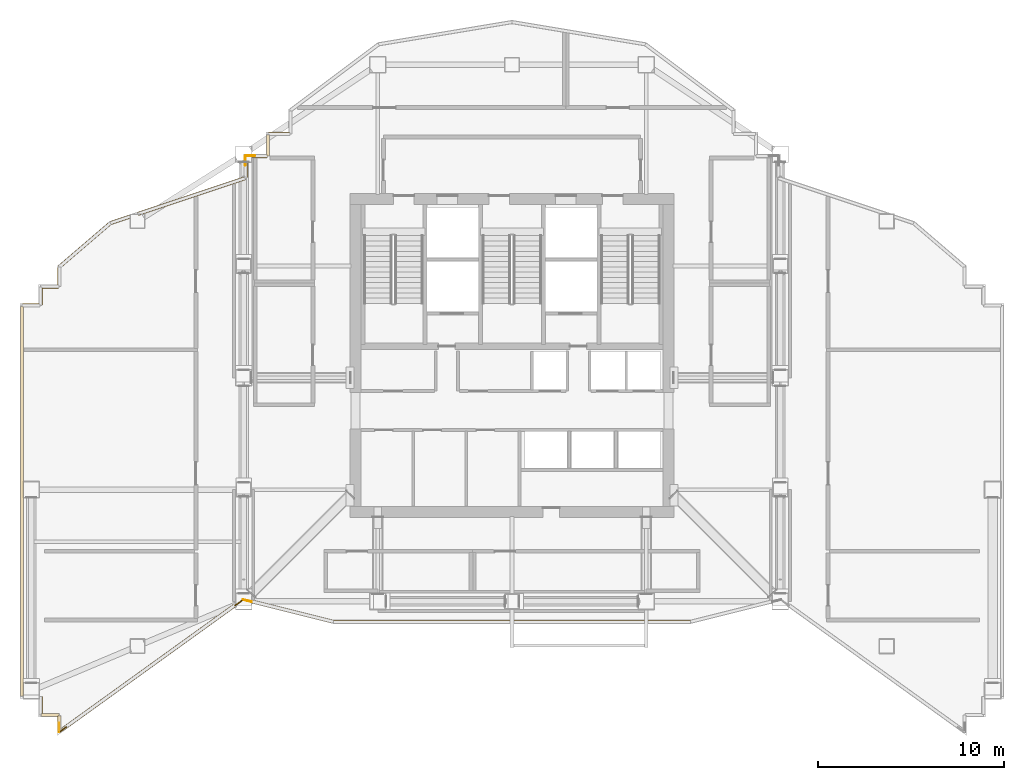
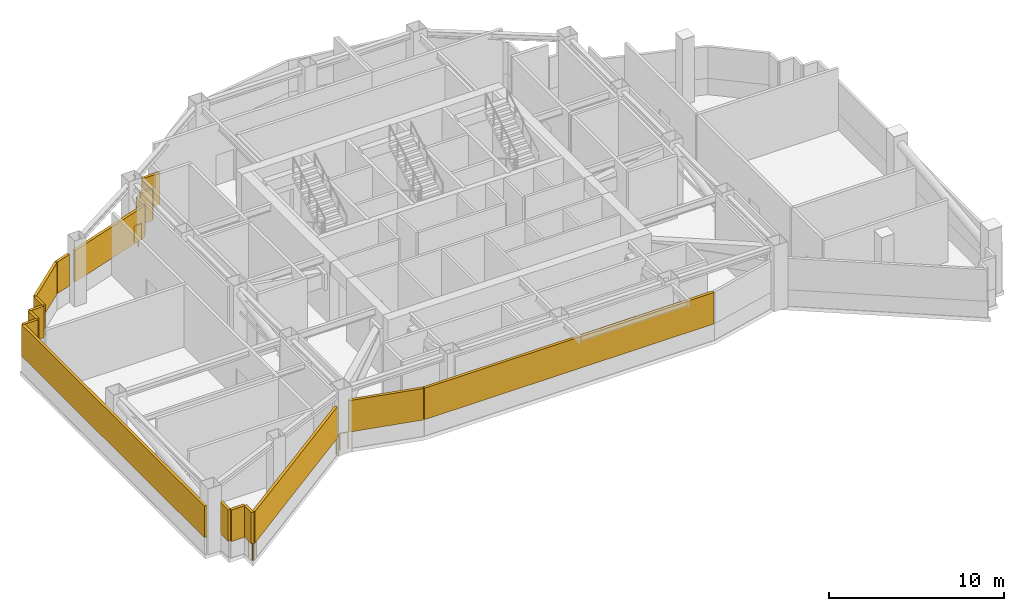
# One storey, part 16 of 19: 18 shading devices, 6 railings.
"""IFC4 building model written with IfcOpenShell, lengths in metres."""

from ifc_helpers import new_model, si_unit, direction, frame, origin, origin_2d, place, context, subcontext, project, spatial, rectangle, circle, extrude, material, type_object, element, save


model = new_model("IFC4")

# Units and contexts
model_context = context("Model", 3, precision=1e-05, world=origin(), true_north=direction((0.0, 1.0)))
body_context = subcontext(model_context, "Body", "Model", "MODEL_VIEW")
ifc_project = project(units=[si_unit("LENGTHUNIT", "METRE"), si_unit("AREAUNIT", "SQUARE_METRE"), si_unit("VOLUMEUNIT", "CUBIC_METRE"), si_unit("PLANEANGLEUNIT", "RADIAN"), si_unit("MASSUNIT", "GRAM", prefix="KILO")], contexts=[model_context])

# Site, building, storey
site_placement = place(None, origin())
site = spatial("IfcSite", under=ifc_project, at=site_placement, CompositionType="ELEMENT")
building_placement = place(site_placement, origin())
building = spatial("IfcBuilding", under=site, at=building_placement, Name="Haolan Belvedere Tower", CompositionType="ELEMENT")
storey_placement = place(building_placement, frame((0.0, 0.0, 230.60009765625)))
storey = spatial("IfcBuildingStorey", under=building, at=storey_placement, Name="L58", CompositionType="ELEMENT", Elevation=230.60009765625)

# Railings
ifc_material_1 = material(Name="Galvanised powder-coated steel guardrail", Category="steel")
railing_type = type_object("IfcRailingType", Name="RL-REF-GRD-1150", PredefinedType="GUARDRAIL", material=ifc_material_1)
railing_1_placement = place(storey_placement, frame((24.42578125, 21.586181640625, 0.0)))
element("IfcRailing", 1, at=railing_1_placement, inside=storey, type_object=railing_type, Name="L58 refuge corner safety guardrail 1A", PredefinedType="GUARDRAIL", context=body_context, shape_type="SweptSolid", body=[
    extrude(circle(Radius=0.02392578125, at=origin_2d()), frame((0.0, 0.0, 1.1259765625), z_axis=(-0.974532291101, 0.224247215372, 0.0), x_axis=(-0.224247215372, -0.974532291101, 0.0)), (0.0, 0.0, 1.0), 0.466064453125),
    extrude(circle(Radius=0.02099609375, at=origin_2d()), origin(), (0.0, 0.0, 1.0), 1.101806640625),
    extrude(circle(Radius=0.02099609375, at=origin_2d()), frame((-0.4541015625, 0.1044921875, 0.0)), (0.0, 0.0, 1.0), 1.101806640625),
])
railing_2_placement = place(storey_placement, frame((23.923095703125, 21.655517578125, 0.0)))
element("IfcRailing", 2, at=railing_2_placement, inside=storey, type_object=railing_type, Name="L58 refuge corner safety guardrail 1B", PredefinedType="GUARDRAIL", context=body_context, shape_type="SweptSolid", body=[
    extrude(circle(Radius=0.02392578125, at=origin_2d()), frame((0.0, 0.0, 1.1259765625), z_axis=(-0.811622975054, -0.584181603925, 0.0), x_axis=(0.584181603925, -0.811622975054, 0.0)), (0.0, 0.0, 1.0), 0.47021484375),
    extrude(circle(Radius=0.02099609375, at=origin_2d()), origin(), (0.0, 0.0, 1.0), 1.101806640625),
    extrude(circle(Radius=0.02099609375, at=origin_2d()), frame((-0.381591796875, -0.274658203125, 0.0)), (0.0, 0.0, 1.0), 1.101806640625),
])
railing_3_placement = place(storey_placement, frame((24.090087890625, 45.010009765625, 0.0)))
element("IfcRailing", 3, at=railing_3_placement, inside=storey, type_object=railing_type, Name="L58 refuge corner safety guardrail 5A", PredefinedType="GUARDRAIL", context=body_context, shape_type="SweptSolid", body=[
    extrude(circle(Radius=0.02392578125, at=origin_2d()), frame((0.0, 0.0, 1.1259765625), z_axis=(0.0, 1.0, 0.0), x_axis=(-1.0, 0.0, 0.0)), (0.0, 0.0, 1.0), 0.469970703125),
    extrude(circle(Radius=0.02099609375, at=origin_2d()), origin(), (0.0, 0.0, 1.0), 1.101806640625),
    extrude(circle(Radius=0.02099609375, at=origin_2d()), frame((0.0, 0.469970703125, 0.0)), (0.0, 0.0, 1.0), 1.101806640625),
])
railing_4_placement = place(storey_placement, frame((24.1201171875, 45.510009765625, 0.0)))
element("IfcRailing", 4, at=railing_4_placement, inside=storey, type_object=railing_type, Name="L58 refuge corner safety guardrail 5B", PredefinedType="GUARDRAIL", context=body_context, shape_type="SweptSolid", body=[
    extrude(circle(Radius=0.02392578125, at=origin_2d()), frame((0.0, 0.0, 1.1259765625), z_axis=(1.0, 0.0, 0.0), x_axis=(0.0, 1.0, 0.0)), (0.0, 0.0, 1.0), 0.469970703125),
    extrude(circle(Radius=0.02099609375, at=origin_2d()), origin(), (0.0, 0.0, 1.0), 1.101806640625),
    extrude(circle(Radius=0.02099609375, at=origin_2d()), frame((0.469970703125, 0.0, 0.0)), (0.0, 0.0, 1.0), 1.101806640625),
])
railing_5_placement = place(storey_placement, frame((14.495849609375, 14.867919921875, 0.0)))
element("IfcRailing", 5, at=railing_5_placement, inside=storey, type_object=railing_type, Name="L58 refuge corner safety guardrail 6A", PredefinedType="GUARDRAIL", context=body_context, shape_type="SweptSolid", body=[
    extrude(circle(Radius=0.02392578125, at=origin_2d()), frame((0.0, 0.0, 1.1259765625), z_axis=(-0.811622975054, -0.584181603925, 0.0), x_axis=(0.584181603925, -0.811622975054, 0.0)), (0.0, 0.0, 1.0), 0.47021484375),
    extrude(circle(Radius=0.02099609375, at=origin_2d()), origin(), (0.0, 0.0, 1.0), 1.101806640625),
    extrude(circle(Radius=0.02099609375, at=origin_2d()), frame((-0.381591796875, -0.274658203125, 0.0)), (0.0, 0.0, 1.0), 1.101806640625),
])
railing_6_placement = place(storey_placement, frame((14.090087890625, 14.605712890625, 0.0)))
element("IfcRailing", 6, at=railing_6_placement, inside=storey, type_object=railing_type, Name="L58 refuge corner safety guardrail 6B", PredefinedType="GUARDRAIL", context=body_context, shape_type="SweptSolid", body=[
    extrude(circle(Radius=0.02392578125, at=origin_2d()), frame((0.0, 0.0, 1.1259765625), z_axis=(0.0, 1.0, 0.0), x_axis=(-1.0, 0.0, 0.0)), (0.0, 0.0, 1.0), 0.469970703125),
    extrude(circle(Radius=0.02099609375, at=origin_2d()), origin(), (0.0, 0.0, 1.0), 1.101806640625),
    extrude(circle(Radius=0.02099609375, at=origin_2d()), frame((0.0, 0.469970703125, 0.0)), (0.0, 0.0, 1.0), 1.101806640625),
])

# Shading devices
ifc_material_2 = material(Name="Anodised champagne-silver aluminium 6063-T6", Category="aluminium")
shading_device_type = type_object("IfcShadingDeviceType", Name="SHD-LOUV-180", PredefinedType="JALOUSIE", material=ifc_material_2)
shading_device_1_placement = place(storey_placement, frame((38.39990234375, 20.510009765625, 1.14990234375), z_axis=(0.0, 0.0, 1.0), x_axis=(1.0, 0.0, 0.0)))
element("IfcShadingDevice", 7, at=shading_device_1_placement, inside=storey, type_object=shading_device_type, Name="L58 refuge storm-proof louvre bank 1.1", PredefinedType="JALOUSIE", context=body_context, shape_type="SweptSolid", body=[
    extrude(rectangle(XDim=19.133056640625, YDim=0.179931640625, at=origin_2d()), origin(), (0.0, 0.0, 1.0), 2.199951171875),
])
for number, where, z_axis, x_axis, name in (
    (8, (25.89501953125, 46.68994140625, 1.14990234375), (0.0, 0.0, 1.0), (-1.0, 0.0, 0.0), "L58 refuge storm-proof louvre bank 25.1"),
    (9, (25.31005859375, 46.074951171875, 1.14990234375), (0.0, 0.0, 1.0), (0.0, -1.0, 0.0), "L58 refuge storm-proof louvre bank 26.1"),
):
    element("IfcShadingDevice", number, at=place(storey_placement, frame(where, z_axis=z_axis, x_axis=x_axis)), inside=storey, type_object=shading_device_type, Name=name, PredefinedType="JALOUSIE", context=body_context, shape_type="SweptSolid", body=[
        extrude(rectangle(XDim=1.1298828125, YDim=0.179931640625, at=origin_2d()), origin(), (0.0, 0.0, 1.0), 2.199951171875),
    ])
shading_device_2_placement = place(storey_placement, frame((24.861083984375, 45.489990234375, 1.14990234375), z_axis=(0.0, 0.0, 1.0), x_axis=(-1.0, 0.0, 0.0)))
element("IfcShadingDevice", 10, at=shading_device_2_placement, inside=storey, type_object=shading_device_type, Name="L58 refuge storm-proof louvre bank 27.1", PredefinedType="JALOUSIE", context=body_context, shape_type="SweptSolid", body=[
    extrude(rectangle(XDim=0.798095703125, YDim=0.179931640625, at=origin_2d()), origin(), (0.0, 0.0, 1.0), 2.199951171875),
])
shading_device_3_placement = place(storey_placement, frame((24.110107421875, 44.739501953125, 1.14990234375), z_axis=(0.0, 0.0, 1.0), x_axis=(0.0, -1.0, 0.0)))
element("IfcShadingDevice", 11, at=shading_device_3_placement, inside=storey, type_object=shading_device_type, Name="L58 refuge storm-proof louvre bank 28.1", PredefinedType="JALOUSIE", context=body_context, shape_type="SweptSolid", body=[
    extrude(rectangle(XDim=0.79736328125, YDim=0.179931640625, at=origin_2d()), origin(), (0.0, 0.0, 1.0), 2.199951171875),
])
shading_device_4_placement = place(storey_placement, frame((21.20263671875, 43.3515625, 1.14990234375), z_axis=(0.0, 0.0, 1.0), x_axis=(-0.948688534679, -0.316212055698, 0.0)))
element("IfcShadingDevice", 12, at=shading_device_4_placement, inside=storey, type_object=shading_device_type, Name="L58 refuge storm-proof louvre bank 29.1", PredefinedType="JALOUSIE", context=body_context, shape_type="SweptSolid", body=[
    extrude(rectangle(XDim=6.029296875, YDim=0.179931640625, at=origin_2d()), origin(), (0.0, 0.0, 1.0), 2.199951171875),
])
shading_device_5_placement = place(storey_placement, frame((17.381591796875, 42.077880859375, 1.14990234375), z_axis=(0.0, 0.0, 1.0), x_axis=(-0.948694053476, -0.316195497912, 0.0)))
element("IfcShadingDevice", 13, at=shading_device_5_placement, inside=storey, type_object=shading_device_type, Name="L58 refuge storm-proof louvre bank 29.2", PredefinedType="JALOUSIE", context=body_context, shape_type="SweptSolid", body=[
    extrude(rectangle(XDim=1.069580078125, YDim=0.179931640625, at=origin_2d()), origin(), (0.0, 0.0, 1.0), 2.199951171875),
])
shading_device_6_placement = place(storey_placement, frame((15.482666015625, 40.725830078125, 1.14990234375), z_axis=(0.0, 0.0, 1.0), x_axis=(-0.759248590567, -0.650800720438, 0.0)))
element("IfcShadingDevice", 14, at=shading_device_6_placement, inside=storey, type_object=shading_device_type, Name="L58 refuge storm-proof louvre bank 30.1", PredefinedType="JALOUSIE", context=body_context, shape_type="SweptSolid", body=[
    extrude(rectangle(XDim=3.57568359375, YDim=0.179931640625, at=origin_2d()), origin(), (0.0, 0.0, 1.0), 2.199951171875),
])
shading_device_7_placement = place(storey_placement, frame((14.110107421875, 39.019775390625, 1.14990234375), z_axis=(0.0, 0.0, 1.0), x_axis=(0.0, -1.0, 0.0)))
element("IfcShadingDevice", 15, at=shading_device_7_placement, inside=storey, type_object=shading_device_type, Name="L58 refuge storm-proof louvre bank 31.1", PredefinedType="JALOUSIE", context=body_context, shape_type="SweptSolid", body=[
    extrude(rectangle(XDim=1.019287109375, YDim=0.179931640625, at=origin_2d()), origin(), (0.0, 0.0, 1.0), 2.199951171875),
])
for number, where, z_axis, x_axis, name in (
    (16, (13.594970703125, 38.489990234375, 1.14990234375), (0.0, 0.0, 1.0), (-1.0, 0.0, 0.0), "L58 refuge storm-proof louvre bank 32.1"),
    (17, (13.110107421875, 37.97509765625, 1.14990234375), (0.0, 0.0, 1.0), (0.0, -1.0, 0.0), "L58 refuge storm-proof louvre bank 33.1"),
    (18, (12.594970703125, 37.489990234375, 1.14990234375), (0.0, 0.0, 1.0), (-1.0, 0.0, 0.0), "L58 refuge storm-proof louvre bank 34.1"),
):
    element("IfcShadingDevice", number, at=place(storey_placement, frame(where, z_axis=z_axis, x_axis=x_axis)), inside=storey, type_object=shading_device_type, Name=name, PredefinedType="JALOUSIE", context=body_context, shape_type="SweptSolid", body=[
        extrude(rectangle(XDim=0.929931640625, YDim=0.179931640625, at=origin_2d()), origin(), (0.0, 0.0, 1.0), 2.199951171875),
    ])
shading_device_8_placement = place(storey_placement, frame((12.110107421875, 26.985107421875, 1.14990234375), z_axis=(0.0, 0.0, 1.0), x_axis=(0.0, -1.0, 0.0)))
element("IfcShadingDevice", 19, at=shading_device_8_placement, inside=storey, type_object=shading_device_type, Name="L58 refuge storm-proof louvre bank 35.1", PredefinedType="JALOUSIE", context=body_context, shape_type="SweptSolid", body=[
    extrude(rectangle(XDim=20.909912109375, YDim=0.179931640625, at=origin_2d()), origin(), (0.0, 0.0, 1.0), 2.199951171875),
])
shading_device_9_placement = place(storey_placement, frame((13.110107421875, 16.010009765625, 1.14990234375), z_axis=(0.0, 0.0, 1.0), x_axis=(0.0, -1.0, 0.0)))
element("IfcShadingDevice", 20, at=shading_device_9_placement, inside=storey, type_object=shading_device_type, Name="L58 refuge storm-proof louvre bank 37.1", PredefinedType="JALOUSIE", context=body_context, shape_type="SweptSolid", body=[
    extrude(rectangle(XDim=0.9599609375, YDim=0.179931640625, at=origin_2d()), origin(), (0.0, 0.0, 1.0), 2.199951171875),
])
shading_device_10_placement = place(storey_placement, frame((13.625, 15.510009765625, 1.14990234375), z_axis=(0.0, 0.0, 1.0), x_axis=(1.0, 0.0, 0.0)))
element("IfcShadingDevice", 21, at=shading_device_10_placement, inside=storey, type_object=shading_device_type, Name="L58 refuge storm-proof louvre bank 38.1", PredefinedType="JALOUSIE", context=body_context, shape_type="SweptSolid", body=[
    extrude(rectangle(XDim=0.929931640625, YDim=0.179931640625, at=origin_2d()), origin(), (0.0, 0.0, 1.0), 2.199951171875),
])
shading_device_11_placement = place(storey_placement, frame((14.110107421875, 15.04736328125, 1.14990234375), z_axis=(0.0, 0.0, 1.0), x_axis=(0.0, -1.0, 0.0)))
element("IfcShadingDevice", 22, at=shading_device_11_placement, inside=storey, type_object=shading_device_type, Name="L58 refuge storm-proof louvre bank 39.1", PredefinedType="JALOUSIE", context=body_context, shape_type="SweptSolid", body=[
    extrude(rectangle(XDim=0.8251953125, YDim=0.179931640625, at=origin_2d()), origin(), (0.0, 0.0, 1.0), 2.199951171875),
])
shading_device_12_placement = place(storey_placement, frame((18.87060546875, 18.042236328125, 1.14990234375), z_axis=(0.0, 0.0, 1.0), x_axis=(0.811533191666, 0.584306322766, 0.0)))
element("IfcShadingDevice", 23, at=shading_device_12_placement, inside=storey, type_object=shading_device_type, Name="L58 refuge storm-proof louvre bank 40.1", PredefinedType="JALOUSIE", context=body_context, shape_type="SweptSolid", body=[
    extrude(rectangle(XDim=11.51220703125, YDim=0.179931640625, at=origin_2d()), origin(), (0.0, 0.0, 1.0), 2.199951171875),
])
shading_device_13_placement = place(storey_placement, frame((26.627685546875, 21.056396484375, 1.14990234375), z_axis=(0.0, 0.0, 1.0), x_axis=(0.970139297626, -0.242548434753, 0.0)))
element("IfcShadingDevice", 24, at=shading_device_13_placement, inside=storey, type_object=shading_device_type, Name="L58 refuge storm-proof louvre bank 41.1", PredefinedType="JALOUSIE", context=body_context, shape_type="SweptSolid", body=[
    extrude(rectangle(XDim=4.466064453125, YDim=0.179931640625, at=origin_2d()), origin(), (0.0, 0.0, 1.0), 2.199951171875),
])

save(model, "model.ifc")
